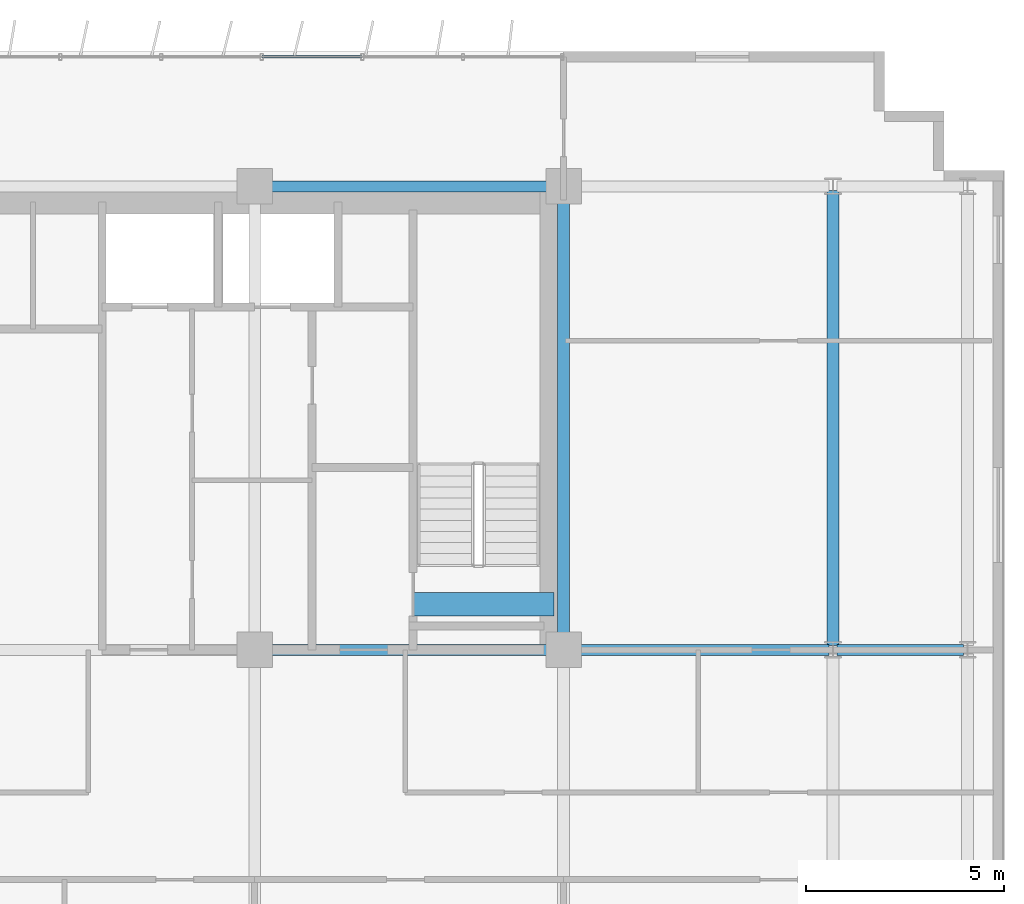
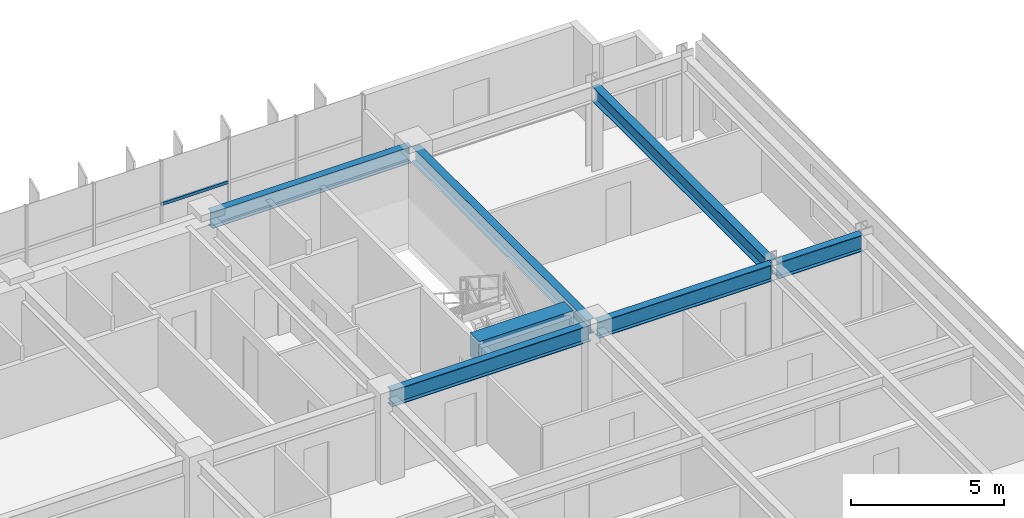
# One storey, part 14 of 25: 7 beams, 1 member, 1 element without a shape of its own.
"""IFC4 building model written with IfcOpenShell, lengths in metres."""

from ifc_helpers import new_model, si_unit, direction, frame, origin, origin_2d, place, context, subcontext, project, spatial, rectangle, hollow_rectangle, i_section, extrude, source, transform, mapped, material, material_profile, profile_set, type_object, element, aggregate, save


model = new_model("IFC4")

# Units and contexts
model_context = context("Model", 3, precision=1e-05, world=origin(), true_north=direction((0.0, 1.0)))
body_context = subcontext(model_context, "Body", "Model", "MODEL_VIEW")
ifc_project = project(units=[si_unit("LENGTHUNIT", "METRE"), si_unit("AREAUNIT", "SQUARE_METRE"), si_unit("VOLUMEUNIT", "CUBIC_METRE"), si_unit("PLANEANGLEUNIT", "RADIAN"), si_unit("MASSUNIT", "GRAM", prefix="KILO")], contexts=[model_context])

# Site, building, storey
site_placement = place(None, origin())
site = spatial("IfcSite", under=ifc_project, at=site_placement, CompositionType="ELEMENT")
building_placement = place(site_placement, origin())
building = spatial("IfcBuilding", under=site, at=building_placement, Name="Trelvane Seafront Commons", CompositionType="ELEMENT")
storey_placement = place(building_placement, frame((0.0, 0.0, 66.699951171875)))
storey = spatial("IfcBuildingStorey", under=building, at=storey_placement, Name="L17", CompositionType="ELEMENT", Elevation=66.699951171875)

# Beams
ifc_material_1 = material(Name="Concrete C60/75", Category="concrete")
ifc_material_profile_1 = material_profile(ifc_material_1, rectangle(XDim=0.60009765625, YDim=0.89990234375, at=origin_2d()), Name="RC-600x900")
ifc_profile_set_1 = profile_set([ifc_material_profile_1], Name="Concrete C60/75")
beam_type_1 = type_object("IfcBeamType", Name="STR-LNT-RC600x900", PredefinedType="LINTEL", material=ifc_profile_set_1)
shared_shape_1 = source(origin(), body_context, "Body", "SweptSolid", [
    extrude(rectangle(XDim=0.60009765625, YDim=0.89990234375, at=origin_2d()), origin(), (0.0, 0.0, 1.0), 3.550048828125),
])
beam_1_placement = place(storey_placement, frame((55.0, 34.550048828125, 2.89013671875), z_axis=(1.0, 0.0, 0.0), x_axis=(0.0, 1.0, 0.0)))
element("IfcBeam", 1, at=beam_1_placement, inside=storey, type_object=beam_type_1, Name="L17 Core Coupling Lintel Beam CB-84", PredefinedType="LINTEL", context=body_context, shape_type="MappedRepresentation", body=[
    mapped(shared_shape_1, transform((0.0, 0.0, 0.0), x_axis=(1.0, 0.0, 0.0), y_axis=(0.0, 1.0, 0.0), z_axis=(0.0, 0.0, 1.0), scale=1.0)),
])
ifc_material_2 = material(Name="Steel SM355 (S355)", Category="steel")
ifc_material_profile_2 = material_profile(ifc_material_2, i_section(OverallWidth=0.280029296875, OverallDepth=0.64990234375, WebThickness=0.012939453125, FlangeThickness=0.02197265625, at=origin_2d()), Name="H-650x280x13x22")
ifc_profile_set_2 = profile_set([ifc_material_profile_2], Name="Steel SM355 (S355)")
beam_type_2 = type_object("IfcBeamType", Name="STR-BM-H650", PredefinedType="BEAM", material=ifc_profile_set_2)
shared_shape_2 = source(origin(), body_context, "Body", "SweptSolid", [
    extrude(i_section(OverallWidth=0.280029296875, OverallDepth=0.64990234375, WebThickness=0.012939453125, FlangeThickness=0.02197265625, at=origin_2d()), origin(), (0.0, 0.0, 1.0), 3.18994140625),
])
beam_2_placement = place(storey_placement, frame((65.705078125, 33.39990234375, 3.01513671875), z_axis=(1.0, 0.0, 0.0), x_axis=(0.0, 1.0, 0.0)))
element("IfcBeam", 2, at=beam_2_placement, inside=storey, type_object=beam_type_2, Name="L17 Primary Girder G-27", PredefinedType="BEAM", context=body_context, shape_type="MappedRepresentation", body=[
    mapped(shared_shape_2, transform((0.0, 0.0, 0.0), x_axis=(1.0, 0.0, 0.0), y_axis=(0.0, 1.0, 0.0), z_axis=(0.0, 0.0, 1.0), scale=1.0)),
])
shared_shape_3 = source(origin(), body_context, "Body", "SweptSolid", [
    extrude(i_section(OverallWidth=0.280029296875, OverallDepth=0.64990234375, WebThickness=0.012939453125, FlangeThickness=0.02197265625, at=origin_2d()), origin(), (0.0, 0.0, 1.0), 6.545166015625),
])
beam_3_placement = place(storey_placement, frame((58.949951171875, 33.39990234375, 3.01513671875), z_axis=(1.0, 0.0, 0.0), x_axis=(0.0, 1.0, 0.0)))
element("IfcBeam", 3, at=beam_3_placement, inside=storey, type_object=beam_type_2, Name="L17 Primary Girder G-26", PredefinedType="BEAM", context=body_context, shape_type="MappedRepresentation", body=[
    mapped(shared_shape_3, transform((0.0, 0.0, 0.0), x_axis=(1.0, 0.0, 0.0), y_axis=(0.0, 1.0, 0.0), z_axis=(0.0, 0.0, 1.0), scale=1.0)),
])
shared_shape_4 = source(origin(), body_context, "Body", "SweptSolid", [
    extrude(i_section(OverallWidth=0.280029296875, OverallDepth=0.64990234375, WebThickness=0.012939453125, FlangeThickness=0.02197265625, at=origin_2d()), origin(), (0.0, 0.0, 1.0), 7.5),
])
for number, where, z_axis, x_axis, name in (
    (4, (51.14990234375, 33.39990234375, 3.01513671875), (1.0, 0.0, 0.0), (0.0, 1.0, 0.0), "L17 Primary Girder G-25"),
    (5, (51.14990234375, 45.10009765625, 3.01513671875), (1.0, 0.0, 0.0), (0.0, 1.0, 0.0), "L17 Primary Girder G-34"),
):
    element("IfcBeam", number, at=place(storey_placement, frame(where, z_axis=z_axis, x_axis=x_axis)), inside=storey, type_object=beam_type_2, Name=name, PredefinedType="BEAM", context=body_context, shape_type="MappedRepresentation", body=[
        mapped(shared_shape_4, transform((0.0, 0.0, 0.0), x_axis=(1.0, 0.0, 0.0), y_axis=(0.0, 1.0, 0.0), z_axis=(0.0, 0.0, 1.0), scale=1.0)),
    ])
ifc_material_profile_3 = material_profile(ifc_material_2, i_section(OverallWidth=0.300048828125, OverallDepth=0.587890625, WebThickness=0.011962890625, FlangeThickness=0.02001953125, at=origin_2d()), Name="H-588x300x12x20")
ifc_profile_set_3 = profile_set([ifc_material_profile_3], Name="Steel SM355 (S355)")
beam_type_3 = type_object("IfcBeamType", Name="STR-BM-H588", PredefinedType="BEAM", material=ifc_profile_set_3)
shared_shape_5 = source(origin(), body_context, "Body", "SweptSolid", [
    extrude(i_section(OverallWidth=0.300048828125, OverallDepth=0.587890625, WebThickness=0.011962890625, FlangeThickness=0.02001953125, at=origin_2d()), origin(), (0.0, 0.0, 1.0), 11.490234375),
])
beam_4_placement = place(storey_placement, frame((65.60009765625, 33.5048828125, 3.046142578125), z_axis=(0.0, 1.0, 0.0), x_axis=(-1.0, 0.0, 0.0)))
element("IfcBeam", 6, at=beam_4_placement, inside=storey, type_object=beam_type_3, Name="L17 Primary Girder G-63", PredefinedType="BEAM", context=body_context, shape_type="MappedRepresentation", body=[
    mapped(shared_shape_5, transform((0.0, 0.0, 0.0), x_axis=(1.0, 0.0, 0.0), y_axis=(0.0, 1.0, 0.0), z_axis=(0.0, 0.0, 1.0), scale=1.0)),
])
shared_shape_6 = source(origin(), body_context, "Body", "SweptSolid", [
    extrude(i_section(OverallWidth=0.300048828125, OverallDepth=0.587890625, WebThickness=0.011962890625, FlangeThickness=0.02001953125, at=origin_2d()), origin(), (0.0, 0.0, 1.0), 11.39990234375),
])
beam_5_placement = place(storey_placement, frame((58.800048828125, 33.550048828125, 3.046142578125), z_axis=(0.0, 1.0, 0.0), x_axis=(-1.0, 0.0, 0.0)))
element("IfcBeam", 7, at=beam_5_placement, inside=storey, type_object=beam_type_3, Name="L17 Primary Girder G-60", PredefinedType="BEAM", context=body_context, shape_type="MappedRepresentation", body=[
    mapped(shared_shape_6, transform((0.0, 0.0, 0.0), x_axis=(1.0, 0.0, 0.0), y_axis=(0.0, 1.0, 0.0), z_axis=(0.0, 0.0, 1.0), scale=1.0)),
])

# Curtain wall, member
ifc_material_3 = material(Name="Anodised pale-silver aluminium", Category="aluminium")
curtain_wall_type = type_object("IfcCurtainWallType", Name="ARCH-CW2-LOWTOWER", PredefinedType="NOTDEFINED", material=ifc_material_3)
curtain_wall_placement = place(storey_placement, origin())
curtain_wall = element("IfcCurtainWall", 8, at=curtain_wall_placement, inside=storey, type_object=curtain_wall_type, Name="CW-L17-0041", PredefinedType="NOTDEFINED")
ifc_material_profile_4 = material_profile(ifc_material_3, hollow_rectangle(XDim=0.070068359375, YDim=0.1201171875, WallThickness=0.00390625, at=origin_2d()), Name="TRAN-70x120x4")
ifc_profile_set_4 = profile_set([ifc_material_profile_4], Name="Anodised pale-silver aluminium")
member_type = type_object("IfcMemberType", Name="ARCH-CW-TRAN-120", PredefinedType="USERDEFINED", material=ifc_profile_set_4)
shared_shape_7 = source(origin(), body_context, "Body", "SweptSolid", [
    extrude(hollow_rectangle(XDim=0.070068359375, YDim=0.1201171875, WallThickness=0.00390625, at=origin_2d()), origin(), (0.0, 0.0, 1.0), 2.51708984375),
])
member_placement = place(storey_placement, frame((51.1884765625, 48.3701171875, 1.60302734375), z_axis=(1.0, 0.0, 0.0), x_axis=(0.0, 1.0, 0.0)))
member = element("IfcMember", 9, at=member_placement, type_object=member_type, Name="CW-L17-0041-T14", ObjectType="TRANSOM", PredefinedType="USERDEFINED", context=body_context, shape_type="MappedRepresentation", body=[
    mapped(shared_shape_7, transform((0.0, 0.0, 0.0), x_axis=(1.0, 0.0, 0.0), y_axis=(0.0, 1.0, 0.0), z_axis=(0.0, 0.0, 1.0), scale=1.0)),
])
aggregate(curtain_wall, [member])

save(model, "model.ifc")
